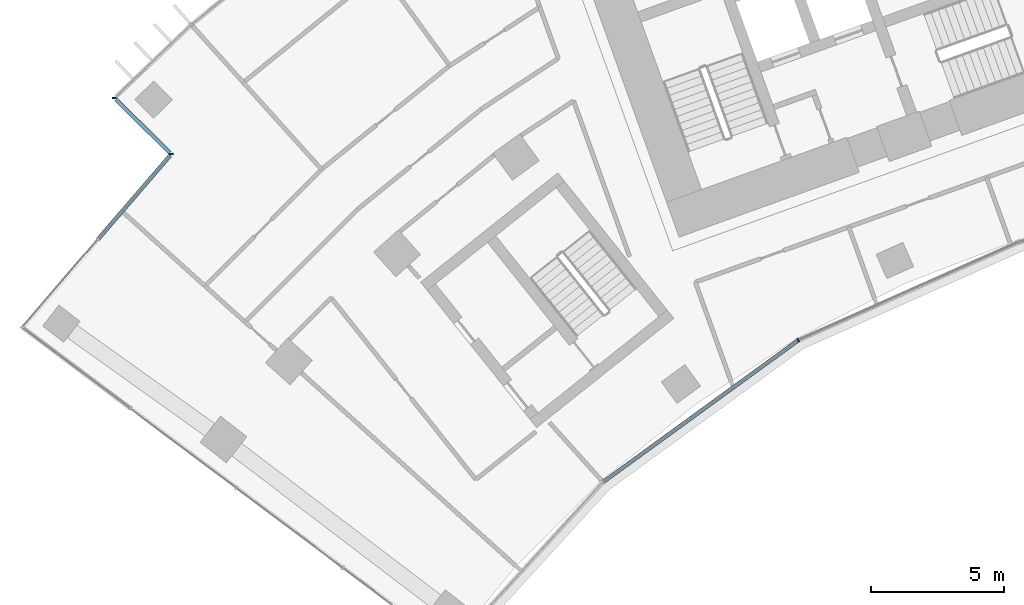
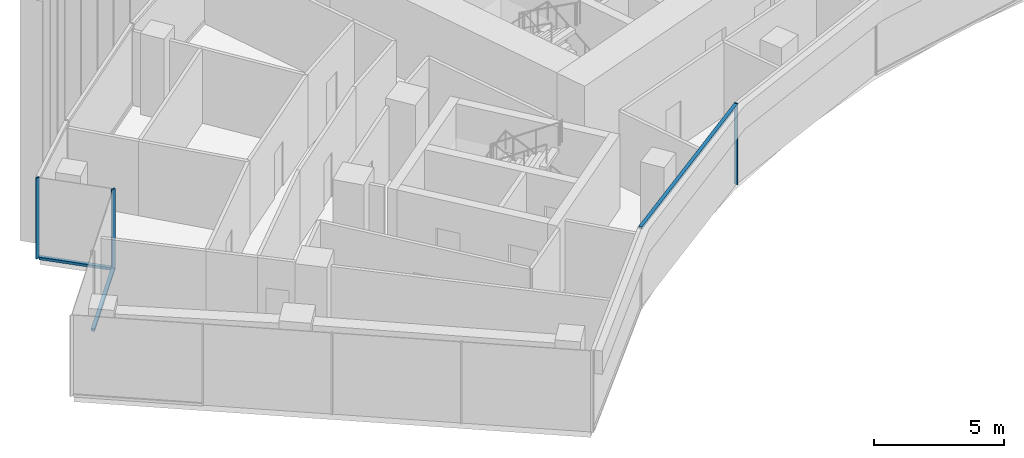
# One storey, part 3 of 22: 6 members, 3 elements without a shape of their own.
"""IFC4 building model written with IfcOpenShell, lengths in metres."""

from ifc_helpers import new_model, si_unit, direction, frame, origin, origin_2d, place, context, subcontext, project, spatial, rectangle, extrude, material, layer, layer_set, material_profile, profile_set, type_object, element, aggregate, save


model = new_model("IFC4")

# Units and contexts
model_context = context("Model", 3, precision=1e-05, world=origin(), true_north=direction((0.0, 1.0)))
body_context = subcontext(model_context, "Body", "Model", "MODEL_VIEW")
ifc_project = project(units=[si_unit("LENGTHUNIT", "METRE"), si_unit("AREAUNIT", "SQUARE_METRE"), si_unit("VOLUMEUNIT", "CUBIC_METRE"), si_unit("PLANEANGLEUNIT", "RADIAN"), si_unit("MASSUNIT", "GRAM", prefix="KILO")], contexts=[model_context])

# Site, building, storey
site_placement = place(None, origin())
site = spatial("IfcSite", under=ifc_project, at=site_placement, CompositionType="ELEMENT")
building_placement = place(site_placement, origin())
building = spatial("IfcBuilding", under=site, at=building_placement, Name="Stone Belt Terrace Tower", CompositionType="ELEMENT")
storey_placement = place(building_placement, frame((0.0, 0.0, 155.39990234375)))
storey = spatial("IfcBuildingStorey", under=building, at=storey_placement, Name="L37", CompositionType="ELEMENT", Elevation=155.39990234375)

# Curtain wall, members
ifc_material = material(Name="Aluminium 6063-T6 anodised frame", Category="aluminium")
ifc_layer_1 = layer(ifc_material, 0.14990234375)
ifc_layer_set_1 = layer_set([ifc_layer_1], Name="CW-B unitised concave-face curtain wall")
curtain_wall_type_1 = type_object("IfcCurtainWallType", Name="CW-B unitised concave-face curtain wall", PredefinedType="NOTDEFINED", material=ifc_layer_set_1)
curtain_wall_1_placement = place(storey_placement, origin())
curtain_wall_1 = element("IfcCurtainWall", 1, at=curtain_wall_1_placement, inside=storey, type_object=curtain_wall_type_1, Name="CW-B concave face L37", PredefinedType="NOTDEFINED")
ifc_material_profile_1 = material_profile(ifc_material, rectangle(XDim=0.14990234375, YDim=0.050048828125, at=origin_2d()), Name="Aluminium 6063-T6 50x150")
ifc_profile_set_1 = profile_set([ifc_material_profile_1], Name="Aluminium 6063-T6 anodised frame")
member_type_1 = type_object("IfcMemberType", Name="CW-B mullion 50 x 150", PredefinedType="MULLION", material=ifc_profile_set_1)
member_1_placement = place(storey_placement, frame((-21.71240234375, 37.606689453125, 0.0), z_axis=(0.0, 0.0, 1.0), x_axis=(-0.5, 0.866025403784, 0.0)))
member_1 = element("IfcMember", 2, at=member_1_placement, type_object=member_type_1, Name="CW-B mullion 3", PredefinedType="MULLION", context=body_context, shape_type="SweptSolid", body=[
    extrude(rectangle(XDim=0.14990234375, YDim=0.050048828125, at=origin_2d()), origin(), (0.0, 0.0, 1.0), 3.800048828125),
])
ifc_material_profile_2 = material_profile(ifc_material, rectangle(XDim=0.14990234375, YDim=0.1201171875, at=origin_2d()), Name="Aluminium 6063-T6 150x120")
ifc_profile_set_2 = profile_set([ifc_material_profile_2], Name="Aluminium 6063-T6 anodised frame")
member_type_2 = type_object("IfcMemberType", Name="CW-B transom 120 x 150", PredefinedType="USERDEFINED", material=ifc_profile_set_2)
member_2_placement = place(storey_placement, frame((-29.03076171875, 32.28955078125, 3.739990234375), z_axis=(0.809008908433, 0.587796381475, 0.0), x_axis=(-0.587796381475, 0.809008908433, 0.0)))
member_2 = element("IfcMember", 3, at=member_2_placement, type_object=member_type_2, Name="CW-B transom 2.1", ObjectType="TRANSOM", PredefinedType="USERDEFINED", context=body_context, shape_type="SweptSolid", body=[
    extrude(rectangle(XDim=0.14990234375, YDim=0.1201171875, at=origin_2d()), origin(), (0.0, 0.0, 1.0), 9.013427734375),
])
aggregate(curtain_wall_1, [member_1, member_2])

# Curtain wall, member
ifc_layer_2 = layer(ifc_material, 0.14990234375)
ifc_layer_set_2 = layer_set([ifc_layer_2], Name="CW-C stick curtain wall, horn ends and notches")
curtain_wall_type_2 = type_object("IfcCurtainWallType", Name="CW-C stick curtain wall, horn ends and notches", PredefinedType="NOTDEFINED", material=ifc_layer_set_2)
curtain_wall_2_placement = place(storey_placement, origin())
curtain_wall_2 = element("IfcCurtainWall", 4, at=curtain_wall_2_placement, inside=storey, type_object=curtain_wall_type_2, Name="CW-C notch face L37", PredefinedType="NOTDEFINED")
ifc_material_profile_3 = material_profile(ifc_material, rectangle(XDim=0.14990234375, YDim=0.06005859375, at=origin_2d()), Name="Aluminium 6063-T6 60x150")
ifc_profile_set_3 = profile_set([ifc_material_profile_3], Name="Aluminium 6063-T6 anodised frame")
member_type_3 = type_object("IfcMemberType", Name="CW-C mullion 60 x 150", PredefinedType="MULLION", material=ifc_profile_set_3)
member_3_placement = place(storey_placement, frame((-47.4365234375, 46.715087890625, 0.0), z_axis=(0.0, 0.0, 1.0), x_axis=(0.999966480105, -0.008187714406, 0.0)))
member_3 = element("IfcMember", 5, at=member_3_placement, type_object=member_type_3, Name="CW-C mullion 1", PredefinedType="MULLION", context=body_context, shape_type="SweptSolid", body=[
    extrude(rectangle(XDim=0.14990234375, YDim=0.06005859375, at=origin_2d()), origin(), (0.0, 0.0, 1.0), 3.800048828125),
])

curtain_wall_3_placement = place(storey_placement, origin())
curtain_wall_3 = element("IfcCurtainWall", 6, at=curtain_wall_3_placement, inside=storey, type_object=curtain_wall_type_2, Name="CW-C notch face L37", PredefinedType="NOTDEFINED")
member_4_placement = place(storey_placement, frame((-45.29638671875, 44.602783203125, 0.0), z_axis=(0.0, 0.0, 1.0), x_axis=(0.999185209744, 0.040359839301, 0.0)))
member_4 = element("IfcMember", 7, at=member_4_placement, type_object=member_type_3, Name="CW-C mullion 1", PredefinedType="MULLION", context=body_context, shape_type="SweptSolid", body=[
    extrude(rectangle(XDim=0.14990234375, YDim=0.06005859375, at=origin_2d()), origin(), (0.0, 0.0, 1.0), 3.800048828125),
])

# Member
ifc_material_profile_4 = material_profile(ifc_material, rectangle(XDim=0.14990234375, YDim=0.1201171875, at=origin_2d()), Name="Aluminium 6063-T6 150x120")
ifc_profile_set_4 = profile_set([ifc_material_profile_4], Name="Aluminium 6063-T6 anodised frame")
member_type_4 = type_object("IfcMemberType", Name="CW-C transom 120 x 150", PredefinedType="USERDEFINED", material=ifc_profile_set_4)
member_5_placement = place(storey_placement, frame((-47.383544921875, 46.66259765625, 0.06005859375), z_axis=(0.711744791626, -0.702438147877, 0.0), x_axis=(0.702438147877, 0.711744791626, 0.0)))
member_5 = element("IfcMember", 8, at=member_5_placement, type_object=member_type_4, Name="CW-C transom 1.1", ObjectType="TRANSOM", PredefinedType="USERDEFINED", context=body_context, shape_type="SweptSolid", body=[
    extrude(rectangle(XDim=0.14990234375, YDim=0.1201171875, at=origin_2d()), origin(), (0.0, 0.0, 1.0), 2.859375),
])

aggregate(curtain_wall_2, [member_3, member_5])

member_6_placement = place(storey_placement, frame((-45.343994140625, 44.54736328125, 0.06005859375), z_axis=(-0.652755588772, -0.757568572029, 0.0), x_axis=(0.757568572029, -0.652755588772, 0.0)))
member_6 = element("IfcMember", 9, at=member_6_placement, type_object=member_type_4, Name="CW-C transom 1.1", ObjectType="TRANSOM", PredefinedType="USERDEFINED", context=body_context, shape_type="SweptSolid", body=[
    extrude(rectangle(XDim=0.14990234375, YDim=0.1201171875, at=origin_2d()), origin(), (0.0, 0.0, 1.0), 4.12060546875),
])

aggregate(curtain_wall_3, [member_4, member_6])

save(model, "model.ifc")
